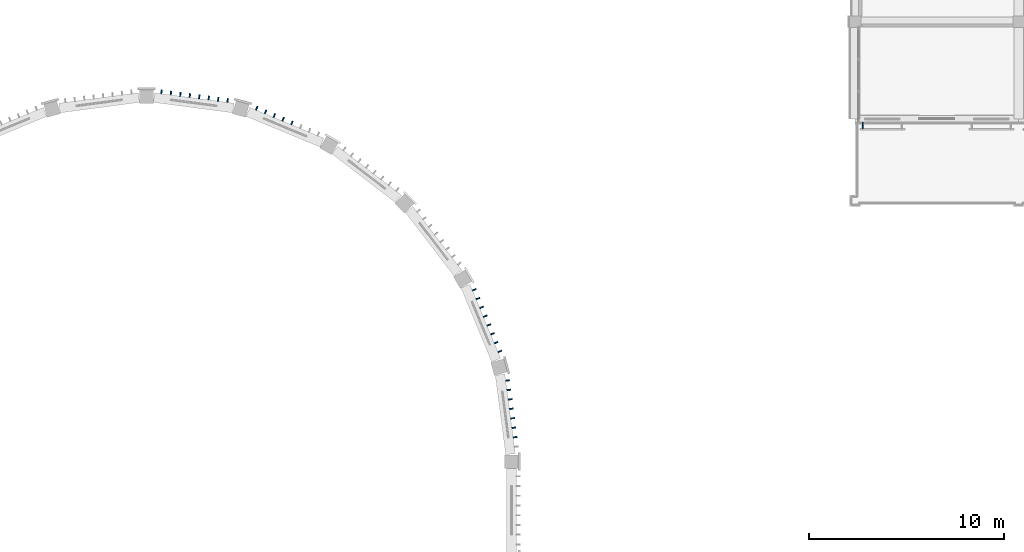
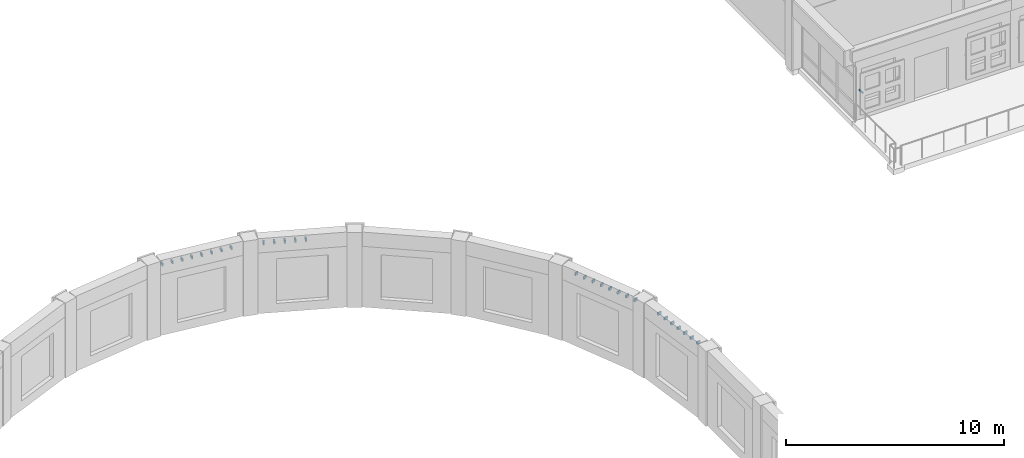
# One storey, part 58 of 71: 29 discrete accessories.
"""IFC4 building model written with IfcOpenShell, lengths in metres."""

from ifc_helpers import new_model, si_unit, direction, frame, origin, origin_2d, place, context, subcontext, project, spatial, rectangle, extrude, material, type_object, element, save


model = new_model("IFC4")

# Units and contexts
model_context = context("Model", 3, precision=1e-05, world=origin(), true_north=direction((0.0, 1.0)))
body_context = subcontext(model_context, "Body", "Model", "MODEL_VIEW")
ifc_project = project(units=[si_unit("LENGTHUNIT", "METRE"), si_unit("AREAUNIT", "SQUARE_METRE"), si_unit("VOLUMEUNIT", "CUBIC_METRE"), si_unit("PLANEANGLEUNIT", "RADIAN"), si_unit("MASSUNIT", "GRAM", prefix="KILO")], contexts=[model_context])

# Site, building, storey
site_placement = place(None, origin())
site = spatial("IfcSite", under=ifc_project, at=site_placement, CompositionType="ELEMENT")
building_placement = place(site_placement, origin())
building = spatial("IfcBuilding", under=site, at=building_placement, Name="Wasatch Bagh Community Centre", CompositionType="ELEMENT")
storey_placement = place(building_placement, frame((0.0, 0.0, 12.60009765625)))
storey = spatial("IfcBuildingStorey", under=building, at=storey_placement, Name="L03", CompositionType="ELEMENT", Elevation=12.60009765625)

# Discrete accessories
ifc_material_1 = material(Name="Galvanised steel", Category="steel")
discrete_accessory_type_1 = type_object("IfcDiscreteAccessoryType", Name="LW jali bracket", PredefinedType="BRACKET", material=ifc_material_1)
discrete_accessory_placement = place(storey_placement, frame((72.800048828125, 82.260009765625, 1.634765625), z_axis=(0.0, 0.0, 1.0), x_axis=(1.0, 0.0, 0.0)))
element("IfcDiscreteAccessory", 1, at=discrete_accessory_placement, inside=storey, type_object=discrete_accessory_type_1, Name="Jali bracket", PredefinedType="BRACKET", context=body_context, shape_type="SweptSolid", body=[
    extrude(rectangle(XDim=0.050048828125, YDim=0.320068359375, at=origin_2d()), origin(), (0.0, 0.0, 1.0), 0.050048828125),
])
ifc_material_2 = material(Name="ASTM A36 steel", Category="steel")
discrete_accessory_type_2 = type_object("IfcDiscreteAccessoryType", Name="MH fin bracket", PredefinedType="BRACKET", material=ifc_material_2)
for number, where, z_axis, x_axis, name in (
    (2, (54.937255859375, 66.2587890625, 3.474853515625), (0.0, 0.0, 1.0), (-0.13052619222, 0.991444861374, 0.0), "Fin bracket 19.3.3"),
    (3, (54.873291015625, 66.744140625, 3.474853515625), (0.0, 0.0, 1.0), (-0.13052619222, 0.991444861374, 0.0), "Fin bracket 19.4.3"),
    (4, (54.8095703125, 67.2294921875, 3.474853515625), (0.0, 0.0, 1.0), (-0.13052619222, 0.991444861374, 0.0), "Fin bracket 19.5.3"),
    (5, (54.74560546875, 67.71484375, 3.474853515625), (0.0, 0.0, 1.0), (-0.13052619222, 0.991444861374, 0.0), "Fin bracket 19.6.3"),
    (6, (54.681640625, 68.199951171875, 3.474853515625), (0.0, 0.0, 1.0), (-0.13052619222, 0.991444861374, 0.0), "Fin bracket 19.7.3"),
    (7, (54.617919921875, 68.685302734375, 3.474853515625), (0.0, 0.0, 1.0), (-0.13052619222, 0.991444861374, 0.0), "Fin bracket 19.8.3"),
    (8, (54.553955078125, 69.170654296875, 3.474853515625), (0.0, 0.0, 1.0), (-0.13052619222, 0.991444861374, 0.0), "Fin bracket 19.9.3"),
    (9, (54.153564453125, 70.6650390625, 3.474853515625), (0.0, 0.0, 1.0), (-0.382683432365, 0.923879532511, 0.0), "Fin bracket 20.2.3"),
    (10, (53.966064453125, 71.117431640625, 3.474853515625), (0.0, 0.0, 1.0), (-0.382683432365, 0.923879532511, 0.0), "Fin bracket 20.3.3"),
    (11, (53.77880859375, 71.569580078125, 3.474853515625), (0.0, 0.0, 1.0), (-0.382683432365, 0.923879532511, 0.0), "Fin bracket 20.4.3"),
    (12, (53.591552734375, 72.021728515625, 3.474853515625), (0.0, 0.0, 1.0), (-0.382683432365, 0.923879532511, 0.0), "Fin bracket 20.5.3"),
    (13, (53.404296875, 72.473876953125, 3.474853515625), (0.0, 0.0, 1.0), (-0.382683432365, 0.923879532511, 0.0), "Fin bracket 20.6.3"),
    (14, (53.217041015625, 72.92626953125, 3.474853515625), (0.0, 0.0, 1.0), (-0.382683432365, 0.923879532511, 0.0), "Fin bracket 20.7.3"),
    (15, (53.029541015625, 73.37841796875, 3.474853515625), (0.0, 0.0, 1.0), (-0.382683432365, 0.923879532511, 0.0), "Fin bracket 20.8.3"),
    (16, (52.84228515625, 73.83056640625, 3.474853515625), (0.0, 0.0, 1.0), (-0.382683432365, 0.923879532511, 0.0), "Fin bracket 20.9.3"),
    (17, (43.473876953125, 82.404296875, 3.474853515625), (0.0, 0.0, 1.0), (-0.923879532511, 0.382683432365, 0.0), "Fin bracket 23.5.3"),
    (18, (43.021728515625, 82.591552734375, 3.474853515625), (0.0, 0.0, 1.0), (-0.923879532511, 0.382683432365, 0.0), "Fin bracket 23.6.3"),
    (19, (42.569580078125, 82.77880859375, 3.474853515625), (0.0, 0.0, 1.0), (-0.923879532511, 0.382683432365, 0.0), "Fin bracket 23.7.3"),
    (20, (42.117431640625, 82.966064453125, 3.474853515625), (0.0, 0.0, 1.0), (-0.923879532511, 0.382683432365, 0.0), "Fin bracket 23.8.3"),
    (21, (41.6650390625, 83.153564453125, 3.474853515625), (0.0, 0.0, 1.0), (-0.923879532511, 0.382683432365, 0.0), "Fin bracket 23.9.3"),
    (22, (40.170654296875, 83.553955078125, 3.474853515625), (0.0, 0.0, 1.0), (-0.991444861374, 0.13052619222, 0.0), "Fin bracket 24.2.3"),
    (23, (39.685302734375, 83.617919921875, 3.474853515625), (0.0, 0.0, 1.0), (-0.991444861374, 0.13052619222, 0.0), "Fin bracket 24.3.3"),
    (24, (39.199951171875, 83.681640625, 3.474853515625), (0.0, 0.0, 1.0), (-0.991444861374, 0.13052619222, 0.0), "Fin bracket 24.4.3"),
    (25, (38.71484375, 83.74560546875, 3.474853515625), (0.0, 0.0, 1.0), (-0.991444861374, 0.13052619222, 0.0), "Fin bracket 24.5.3"),
    (26, (38.2294921875, 83.8095703125, 3.474853515625), (0.0, 0.0, 1.0), (-0.991444861374, 0.13052619222, 0.0), "Fin bracket 24.6.3"),
    (27, (37.744140625, 83.873291015625, 3.474853515625), (0.0, 0.0, 1.0), (-0.991444861374, 0.13052619222, 0.0), "Fin bracket 24.7.3"),
    (28, (37.2587890625, 83.937255859375, 3.474853515625), (0.0, 0.0, 1.0), (-0.991444861374, 0.13052619222, 0.0), "Fin bracket 24.8.3"),
    (29, (36.773681640625, 84.001220703125, 3.474853515625), (0.0, 0.0, 1.0), (-0.991444861374, 0.13052619222, 0.0), "Fin bracket 24.9.3"),
):
    element("IfcDiscreteAccessory", number, at=place(storey_placement, frame(where, z_axis=z_axis, x_axis=x_axis)), inside=storey, type_object=discrete_accessory_type_2, Name=name, PredefinedType="BRACKET", context=body_context, shape_type="SweptSolid", body=[
        extrude(rectangle(XDim=0.070068359375, YDim=0.199951171875, at=origin_2d()), origin(), (0.0, 0.0, 1.0), 0.14990234375),
    ])

save(model, "model.ifc")
